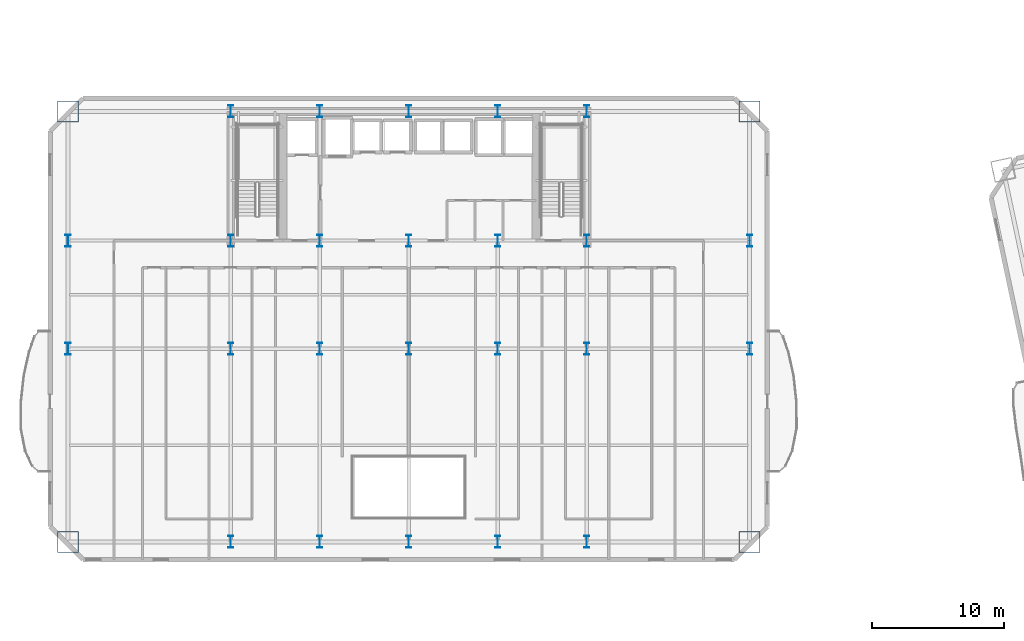
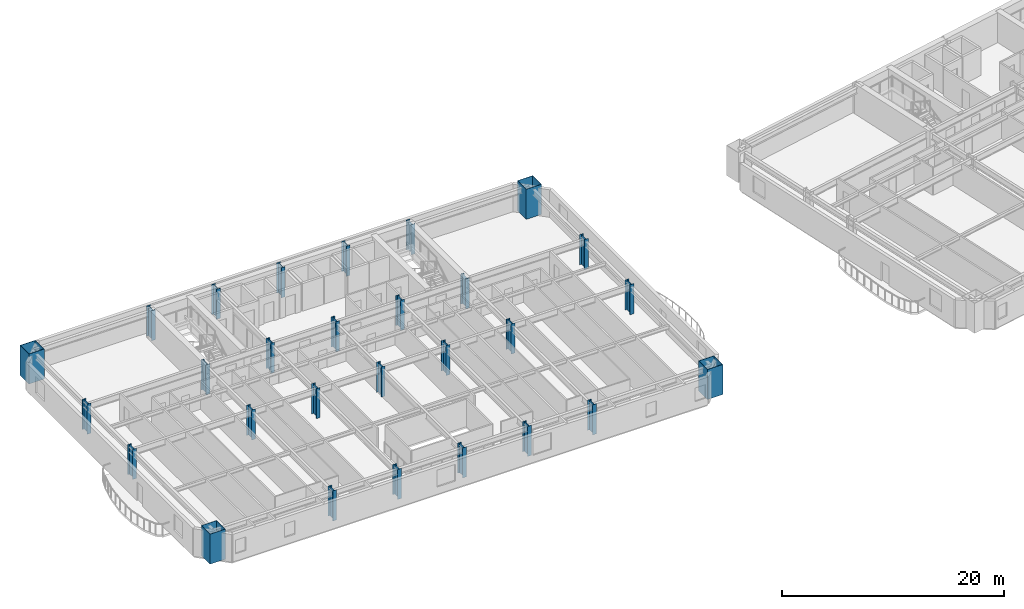
# One storey, part 1 of 17: 28 columns.
"""IFC4 building model written with IfcOpenShell, lengths in metres."""

from ifc_helpers import new_model, si_unit, direction, frame, origin, origin_2d, place, context, subcontext, project, spatial, hollow_rectangle, i_section, extrude, material, material_profile, profile_set, type_object, element, save


model = new_model("IFC4")

# Units and contexts
model_context = context("Model", 3, precision=1e-05, world=origin(), true_north=direction((0.0, 1.0)))
body_context = subcontext(model_context, "Body", "Model", "MODEL_VIEW")
ifc_project = project(units=[si_unit("LENGTHUNIT", "METRE"), si_unit("AREAUNIT", "SQUARE_METRE"), si_unit("VOLUMEUNIT", "CUBIC_METRE"), si_unit("PLANEANGLEUNIT", "RADIAN"), si_unit("MASSUNIT", "GRAM", prefix="KILO")], contexts=[model_context])

# Site, building, storey
site_placement = place(None, origin())
site = spatial("IfcSite", under=ifc_project, at=site_placement, CompositionType="ELEMENT")
building_placement = place(site_placement, origin())
building = spatial("IfcBuilding", under=site, at=building_placement, Name="Haevon Station Towers", CompositionType="ELEMENT")
storey_placement = place(building_placement, frame((0.0, 0.0, 33.89990234375)))
storey = spatial("IfcBuildingStorey", under=building, at=storey_placement, Name="L07", CompositionType="ELEMENT", Elevation=33.89990234375)

# Columns
ifc_material = material(Name="Steel S460", Category="steel")
ifc_material_profile_1 = material_profile(ifc_material, hollow_rectangle(XDim=1.60009765625, YDim=1.60009765625, WallThickness=0.0400390625, at=origin_2d()), Name="BOX-1600x1600x40")
ifc_profile_set_1 = profile_set([ifc_material_profile_1], Name="Steel S460")
column_type_1 = type_object("IfcColumnType", Name="COL-MC1", PredefinedType="COLUMN", material=ifc_profile_set_1)
for number, where, z_axis, x_axis, name in (
    (1, (11.64990234375, 15.35009765625, 0.0), (0.0, 0.0, 1.0), (1.0, 0.0, 0.0), "COL-T1-L07-01-01"),
    (2, (11.64990234375, 48.0, 0.0), (0.0, 0.0, 1.0), (1.0, 0.0, 0.0), "COL-T1-L07-01-04"),
    (3, (63.35009765625, 15.35009765625, 0.0), (0.0, 0.0, 1.0), (1.0, 0.0, 0.0), "COL-T1-L07-07-01"),
    (4, (63.35009765625, 48.0, 0.0), (0.0, 0.0, 1.0), (1.0, 0.0, 0.0), "COL-T1-L07-07-04"),
):
    element("IfcColumn", number, at=place(storey_placement, frame(where, z_axis=z_axis, x_axis=x_axis)), inside=storey, type_object=column_type_1, Name=name, PredefinedType="COLUMN", context=body_context, shape_type="SweptSolid", body=[
        extrude(hollow_rectangle(XDim=1.60009765625, YDim=1.60009765625, WallThickness=0.0400390625, at=origin_2d()), origin(), (0.0, 0.0, 1.0), 3.300048828125),
    ])
ifc_material_profile_2 = material_profile(ifc_material, i_section(OverallWidth=0.39990234375, OverallDepth=0.89990234375, WebThickness=0.02001953125, FlangeThickness=0.035888671875, at=origin_2d()), Name="H-900x400x20x36")
ifc_profile_set_2 = profile_set([ifc_material_profile_2], Name="Steel S460")
column_type_2 = type_object("IfcColumnType", Name="COL-TW1", PredefinedType="COLUMN", material=ifc_profile_set_2)
for number, where, z_axis, x_axis, name in (
    (5, (11.64990234375, 30.0, 0.0), (0.0, 0.0, 1.0), (1.0, 0.0, 0.0), "COL-T1-L07-01-02"),
    (6, (11.64990234375, 38.199951171875, 0.0), (0.0, 0.0, 1.0), (1.0, 0.0, 0.0), "COL-T1-L07-01-03"),
    (7, (24.0, 15.35009765625, 0.0), (0.0, 0.0, 1.0), (1.0, 0.0, 0.0), "COL-T1-L07-02-01"),
    (8, (24.0, 30.0, 0.0), (0.0, 0.0, 1.0), (1.0, 0.0, 0.0), "COL-T1-L07-02-02"),
    (9, (24.0, 38.199951171875, 0.0), (0.0, 0.0, 1.0), (1.0, 0.0, 0.0), "COL-T1-L07-02-03"),
    (10, (24.0, 48.0, 0.0), (0.0, 0.0, 1.0), (1.0, 0.0, 0.0), "COL-T1-L07-02-04"),
    (11, (30.75, 15.35009765625, 0.0), (0.0, 0.0, 1.0), (1.0, 0.0, 0.0), "COL-T1-L07-03-01"),
    (12, (30.75, 30.0, 0.0), (0.0, 0.0, 1.0), (1.0, 0.0, 0.0), "COL-T1-L07-03-02"),
    (13, (30.75, 38.199951171875, 0.0), (0.0, 0.0, 1.0), (1.0, 0.0, 0.0), "COL-T1-L07-03-03"),
    (14, (30.75, 48.0, 0.0), (0.0, 0.0, 1.0), (1.0, 0.0, 0.0), "COL-T1-L07-03-04"),
    (15, (37.5, 15.35009765625, 0.0), (0.0, 0.0, 1.0), (1.0, 0.0, 0.0), "COL-T1-L07-04-01"),
    (16, (37.5, 30.0, 0.0), (0.0, 0.0, 1.0), (1.0, 0.0, 0.0), "COL-T1-L07-04-02"),
    (17, (37.5, 38.199951171875, 0.0), (0.0, 0.0, 1.0), (1.0, 0.0, 0.0), "COL-T1-L07-04-03"),
    (18, (37.5, 48.0, 0.0), (0.0, 0.0, 1.0), (1.0, 0.0, 0.0), "COL-T1-L07-04-04"),
    (19, (44.25, 15.35009765625, 0.0), (0.0, 0.0, 1.0), (1.0, 0.0, 0.0), "COL-T1-L07-05-01"),
    (20, (44.25, 30.0, 0.0), (0.0, 0.0, 1.0), (1.0, 0.0, 0.0), "COL-T1-L07-05-02"),
    (21, (44.25, 38.199951171875, 0.0), (0.0, 0.0, 1.0), (1.0, 0.0, 0.0), "COL-T1-L07-05-03"),
    (22, (44.25, 48.0, 0.0), (0.0, 0.0, 1.0), (1.0, 0.0, 0.0), "COL-T1-L07-05-04"),
    (23, (51.0, 15.35009765625, 0.0), (0.0, 0.0, 1.0), (1.0, 0.0, 0.0), "COL-T1-L07-06-01"),
    (24, (51.0, 30.0, 0.0), (0.0, 0.0, 1.0), (1.0, 0.0, 0.0), "COL-T1-L07-06-02"),
    (25, (51.0, 38.199951171875, 0.0), (0.0, 0.0, 1.0), (1.0, 0.0, 0.0), "COL-T1-L07-06-03"),
    (26, (51.0, 48.0, 0.0), (0.0, 0.0, 1.0), (1.0, 0.0, 0.0), "COL-T1-L07-06-04"),
    (27, (63.35009765625, 30.0, 0.0), (0.0, 0.0, 1.0), (1.0, 0.0, 0.0), "COL-T1-L07-07-02"),
    (28, (63.35009765625, 38.199951171875, 0.0), (0.0, 0.0, 1.0), (1.0, 0.0, 0.0), "COL-T1-L07-07-03"),
):
    element("IfcColumn", number, at=place(storey_placement, frame(where, z_axis=z_axis, x_axis=x_axis)), inside=storey, type_object=column_type_2, Name=name, PredefinedType="COLUMN", context=body_context, shape_type="SweptSolid", body=[
        extrude(i_section(OverallWidth=0.39990234375, OverallDepth=0.89990234375, WebThickness=0.02001953125, FlangeThickness=0.035888671875, at=origin_2d()), origin(), (0.0, 0.0, 1.0), 3.300048828125),
    ])

save(model, "model.ifc")
